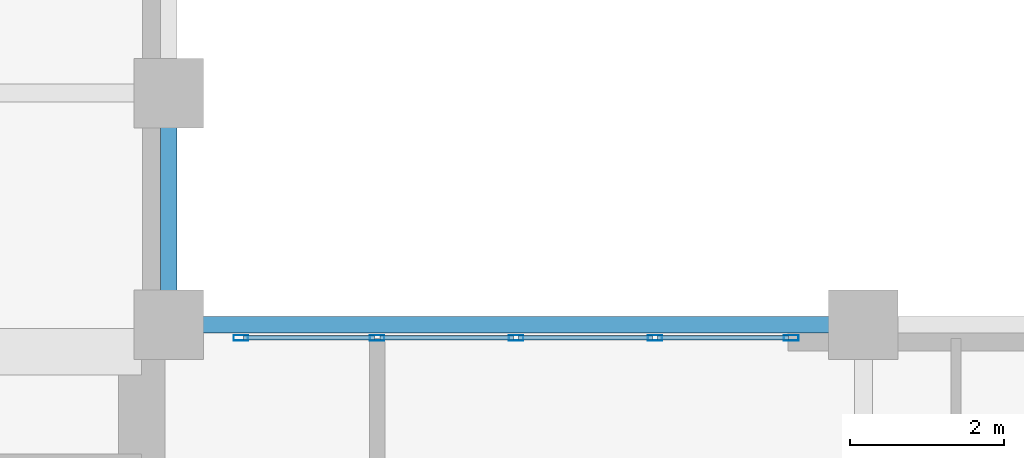
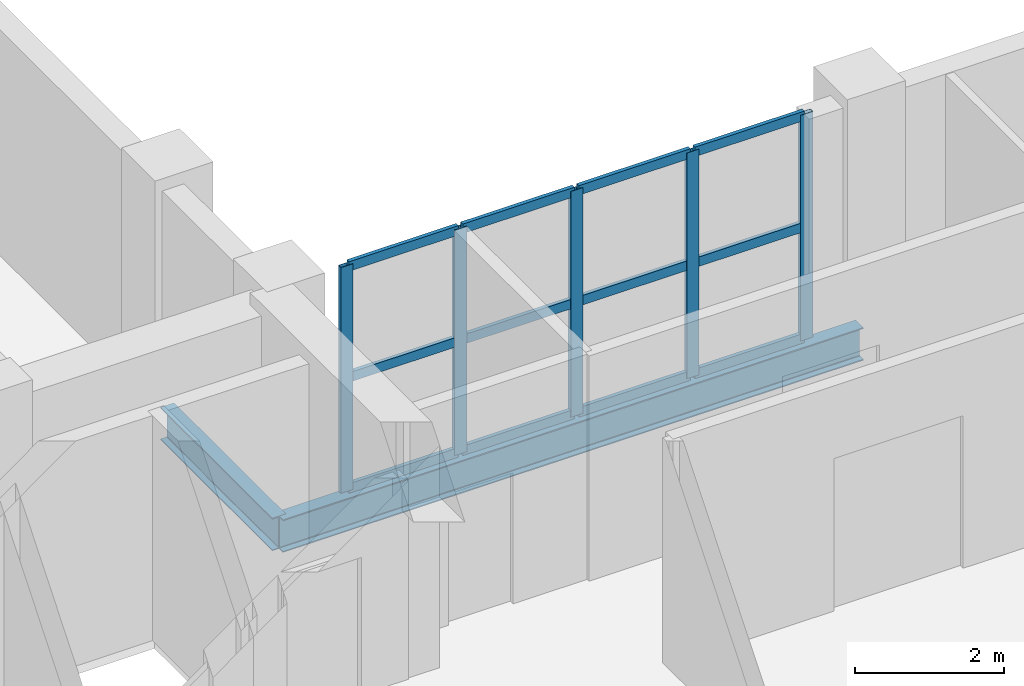
# One storey, part 2 of 7: 17 members, 2 beams, 1 element without a shape of its own.
"""IFC4 building model written with IfcOpenShell, lengths in metres."""

import ifcopenshell
import ifcopenshell.guid

model = None  # the IFC model being written
_history = None  # IfcOwnerHistory: only IFC2X3 demands one
_inside = {}  # id of a spatial element -> (the spatial element, [elements in it])
_under = {}  # id of a project, library or spatial element -> (it, [spatial elements below it])
_declared = {}  # id of a project -> (the project, [libraries it declares])
_typed = {}  # id of a type object -> (the type object, [elements of that type])
_made_of = {}  # id of a material, layer set ... -> (it, [elements and type objects made of it])


def new_model(schema):
    """Start an empty IFC model of exactly this schema.

    Asked for "IFC4X3", IfcOpenShell would pick the latest addendum, in which some entities
    have other attributes; the version numbers below select the first issue.
    IFC2X3 requires an IfcOwnerHistory on every rooted entity: one is made here for all.
    """
    global model, _history
    if schema == "IFC4X3":
        model = ifcopenshell.file(schema_version=(4, 3, 0, 0))
    else:
        model = ifcopenshell.file(schema=schema)
    _inside.clear()
    _under.clear()
    _declared.clear()
    _typed.clear()
    _made_of.clear()
    _history = None
    if model.schema == "IFC2X3":
        org = make("IfcOrganization", Name="unknown")
        user = make(
            "IfcPersonAndOrganization",
            ThePerson=make("IfcPerson", FamilyName="unknown"),
            TheOrganization=org,
        )
        app = make(
            "IfcApplication",
            ApplicationDeveloper=org,
            Version="unknown",
            ApplicationFullName="unknown",
            ApplicationIdentifier="unknown",
        )
        _history = make(
            "IfcOwnerHistory",
            OwningUser=user,
            OwningApplication=app,
            ChangeAction="ADDED",
            CreationDate=0,
        )
    return model


def make(cls, **values):
    """One entity of the class cls with the attributes given. An attribute that is None is left unset."""
    return model.create_entity(
        cls, **{name: value for name, value in values.items() if value is not None}
    )


def rooted(cls, **values):
    """An entity with a GlobalId (a new one), such as an element, a storey or a relation."""
    return make(cls, GlobalId=ifcopenshell.guid.new(), OwnerHistory=_history, **values)


def si_unit(unit_type, name, prefix=None):
    """IfcSIUnit, for example si_unit("LENGTHUNIT", "METRE", prefix="MILLI")."""
    return make("IfcSIUnit", UnitType=unit_type, Prefix=prefix, Name=name)


def assignment(units):
    """IfcUnitAssignment: the units of a project."""
    return None if units is None else make("IfcUnitAssignment", Units=units)


def point(xyz):
    """IfcCartesianPoint."""
    return None if xyz is None else make("IfcCartesianPoint", Coordinates=xyz)


def direction(xyz):
    """IfcDirection."""
    return None if xyz is None else make("IfcDirection", DirectionRatios=xyz)


def frame(location, z_axis=None, x_axis=None):
    """IfcAxis2Placement3D, a coordinate frame: its origin and axes. An axis left out is left unset."""
    return make(
        "IfcAxis2Placement3D",
        Location=point(location),
        Axis=direction(z_axis),
        RefDirection=direction(x_axis),
    )


def frame_2d(location, x_axis=None):
    """IfcAxis2Placement2D, a coordinate frame in the plane: its origin and x axis."""
    return make(
        "IfcAxis2Placement2D", Location=point(location), RefDirection=direction(x_axis)
    )


def origin():
    """The frame at (0, 0, 0) with its axes left unset."""
    return frame((0.0, 0.0, 0.0))


def origin_2d():
    """The frame at (0, 0) in the plane with its x axis left unset."""
    return frame_2d((0.0, 0.0))


def place(relative_to, where):
    """IfcLocalPlacement: puts the frame where relative to a parent placement (None: the world)."""
    return make(
        "IfcLocalPlacement", PlacementRelTo=relative_to, RelativePlacement=where
    )


def context(
    kind, dimensions, precision=None, world=None, true_north=None, identifier=None
):
    """IfcGeometricRepresentationContext, for example the 3D "Model" context."""
    return make(
        "IfcGeometricRepresentationContext",
        ContextIdentifier=identifier,
        ContextType=kind,
        CoordinateSpaceDimension=dimensions,
        Precision=precision,
        WorldCoordinateSystem=world,
        TrueNorth=true_north,
    )


def subcontext(parent, identifier, kind, view, scale=None):
    """IfcGeometricRepresentationSubContext, for example "Body" below "Model"."""
    return make(
        "IfcGeometricRepresentationSubContext",
        ContextIdentifier=identifier,
        ContextType=kind,
        ParentContext=parent,
        TargetScale=scale,
        TargetView=view,
    )


def project(units=None, contexts=None):
    """IfcProject with its units and contexts."""
    return rooted(
        "IfcProject",
        Name="project",
        RepresentationContexts=contexts,
        UnitsInContext=assignment(units),
    )


def spatial(cls, under=None, at=None, **own):
    """A site, building, storey or space (cls), placed at a placement, below another one or the project."""
    s = rooted(cls, ObjectPlacement=at, **own)
    if under is not None:
        _under.setdefault(under.id(), (under, []))[1].append(s)
    return s


def profile(cls, at=None, kind="AREA", **sizes):
    """A parametric profile (cls). Its sizes go by their IFC names, for example OverallWidth=200.0."""
    return make(cls, ProfileType=kind, Position=at, **sizes)


def hollow_rectangle(**sizes):
    """IfcRectangleHollowProfileDef."""
    return profile("IfcRectangleHollowProfileDef", **sizes)


def i_section(**sizes):
    """IfcIShapeProfileDef."""
    return profile("IfcIShapeProfileDef", **sizes)


def extrude(swept, where, along, depth):
    """IfcExtrudedAreaSolid: the profile swept, set in the frame where, extruded along a direction by depth."""
    return make(
        "IfcExtrudedAreaSolid",
        SweptArea=swept,
        Position=where,
        ExtrudedDirection=direction(along),
        Depth=depth,
    )


def shape(context_of_items, identifier, shape_type, items):
    """IfcShapeRepresentation: the items that make up one representation, for example the "Body"."""
    return make(
        "IfcShapeRepresentation",
        ContextOfItems=context_of_items,
        RepresentationIdentifier=identifier,
        RepresentationType=shape_type,
        Items=items,
    )


def material(Name=None, Category=None):
    """IfcMaterial."""
    return make("IfcMaterial", Name=Name, Category=Category)


def layer(
    of_material, thickness, ventilated=None, Name=None, Category=None, Priority=None
):
    """IfcMaterialLayer: one layer of a wall or slab, of a material (None: an air gap)."""
    return make(
        "IfcMaterialLayer",
        Material=of_material,
        LayerThickness=thickness,
        IsVentilated=ventilated,
        Name=Name,
        Category=Category,
        Priority=Priority,
    )


def layer_set(layers, Name=None):
    """IfcMaterialLayerSet."""
    return make("IfcMaterialLayerSet", MaterialLayers=layers, LayerSetName=Name)


def material_profile(
    of_material, cross_section, Name=None, Category=None, Priority=None
):
    """IfcMaterialProfile: a cross section and its material."""
    return make(
        "IfcMaterialProfile",
        Name=Name,
        Material=of_material,
        Profile=cross_section,
        Priority=Priority,
        Category=Category,
    )


def profile_set(profiles, Name=None, composite=None):
    """IfcMaterialProfileSet."""
    return make(
        "IfcMaterialProfileSet",
        Name=Name,
        MaterialProfiles=profiles,
        CompositeProfile=composite,
    )


def made_of(thing, what):
    """Note that an element or type object is made of a material, layer set ...; save() writes the relation."""
    if what is not None:
        _made_of.setdefault(what.id(), (what, []))[1].append(thing)
    return thing


def type_object(cls, material=None, **own):
    """A type object (cls), such as IfcWallType, which elements share."""
    return made_of(rooted(cls, **own), material)


def element(
    cls,
    number,
    at=None,
    inside=None,
    cuts=None,
    type_object=None,
    material=None,
    context=None,
    identifier="Body",
    shape_type=None,
    held_by="IfcProductDefinitionShape",
    body=None,
    shapes=None,
    **own,
):
    """One element of the class cls, such as IfcWall. Its Tag is "e" and its number.

    at: its placement. inside: the storey or other place that contains it. cuts: it is an
    opening in that element (IfcRelVoidsElement). A single representation is given by context,
    identifier, shape_type and body (its items); several are given by shapes. held_by: the class
    of the entity that holds the representations. save() writes the other relations.
    """
    e = rooted(cls, Tag="e%d" % number, ObjectPlacement=at, **own)
    if body is not None:
        shapes = [shape(context, identifier, shape_type, body)]
    if shapes is not None:
        e.Representation = make(held_by, Representations=shapes)
    if inside is not None:
        _inside.setdefault(inside.id(), (inside, []))[1].append(e)
    if cuts is not None:
        rooted(
            "IfcRelVoidsElement", RelatingBuildingElement=cuts, RelatedOpeningElement=e
        )
    if type_object is not None:
        _typed.setdefault(type_object.id(), (type_object, []))[1].append(e)
    return made_of(e, material)


def aggregate(whole, parts):
    """IfcRelAggregates: a whole, such as a stair, and the parts it consists of."""
    return rooted("IfcRelAggregates", RelatingObject=whole, RelatedObjects=parts)


def save(model, path):
    """Write the relations noted so far, then the file.

    IfcRelAggregates (storeys below a building ...), IfcRelContainedInSpatialStructure (elements
    in a storey), IfcRelDefinesByType, IfcRelAssociatesMaterial and IfcRelDeclares: one each for
    every whole, place, type object, material and project.
    """
    for whole, parts in _under.values():
        aggregate(whole, parts)
    for where, things in _inside.values():
        rooted(
            "IfcRelContainedInSpatialStructure",
            RelatedElements=things,
            RelatingStructure=where,
        )
    for kind, things in _typed.values():
        rooted("IfcRelDefinesByType", RelatedObjects=things, RelatingType=kind)
    for what, things in _made_of.values():
        rooted("IfcRelAssociatesMaterial", RelatedObjects=things, RelatingMaterial=what)
    for by, libraries in _declared.values():
        rooted("IfcRelDeclares", RelatingContext=by, RelatedDefinitions=libraries)
    model.write(path)


model = new_model("IFC4")

# Units and contexts
model_context = context("Model", 3, precision=1e-05, world=origin(), true_north=direction((0.0, 1.0)))
body_context = subcontext(model_context, "Body", "Model", "MODEL_VIEW")
ifc_project = project(units=[si_unit("LENGTHUNIT", "METRE"), si_unit("AREAUNIT", "SQUARE_METRE"), si_unit("VOLUMEUNIT", "CUBIC_METRE"), si_unit("PLANEANGLEUNIT", "RADIAN"), si_unit("MASSUNIT", "GRAM", prefix="KILO")], contexts=[model_context])

# Site, building, storey
site_placement = place(None, origin())
site = spatial("IfcSite", under=ifc_project, at=site_placement, CompositionType="ELEMENT")
building_placement = place(site_placement, origin())
building = spatial("IfcBuilding", under=site, at=building_placement, Name="Mawjdan Bourse Tower", CompositionType="ELEMENT")
storey_placement = place(building_placement, frame((0.0, 0.0, 203.39990234375)))
storey = spatial("IfcBuildingStorey", under=building, at=storey_placement, Name="L49", CompositionType="ELEMENT", Elevation=203.39990234375)

# Curtain wall, members
ifc_material_1 = material(Name="Thermally Broken Aluminium and Solar Glass", Category="aluminium")
ifc_layer = layer(ifc_material_1, 0.219970703125)
ifc_layer_set = layer_set([ifc_layer], Name="Thermally Broken Aluminium and Solar Glass")
curtain_wall_type = type_object("IfcCurtainWallType", Name="CW-ATR", PredefinedType="USERDEFINED", material=ifc_layer_set)
curtain_wall_placement = place(storey_placement, origin())
curtain_wall = element("IfcCurtainWall", 1, at=curtain_wall_placement, inside=storey, type_object=curtain_wall_type, Name="L49 Northeast Atrium Court Curtain Wall", ObjectType="ATRIUM GLAZED CURTAIN WALL", PredefinedType="USERDEFINED")
ifc_material_2 = material(Name="Thermally Broken Anodised Aluminium", Category="aluminium")
ifc_material_profile_1 = material_profile(ifc_material_2, hollow_rectangle(XDim=0.070068359375, YDim=0.18994140625, WallThickness=0.00439453125, at=origin_2d()), Name="ALU-MUL-190X70")
ifc_profile_set_1 = profile_set([ifc_material_profile_1], Name="Thermally Broken Anodised Aluminium")
member_type_1 = type_object("IfcMemberType", Name="MUL-ALU-MUL-190X70", PredefinedType="MULLION", material=ifc_profile_set_1)
member_1_placement = place(storey_placement, frame((32.06494140625, 20.830078125, 0.0), z_axis=(0.0, 0.0, 1.0), x_axis=(0.0, -1.0, 0.0)))
member_1 = element("IfcMember", 2, at=member_1_placement, type_object=member_type_1, Name="CW-ATR-L49-ATR-NE mullion 1", PredefinedType="MULLION", context=body_context, shape_type="SweptSolid", body=[
    extrude(hollow_rectangle(XDim=0.070068359375, YDim=0.18994140625, WallThickness=0.00439453125, at=origin_2d()), origin(), (0.0, 0.0, 1.0), 3.7001953125),
])
member_2_placement = place(storey_placement, frame((30.300048828125, 20.830078125, 0.0), z_axis=(0.0, 0.0, 1.0), x_axis=(0.0, -1.0, 0.0)))
member_2 = element("IfcMember", 3, at=member_2_placement, type_object=member_type_1, Name="CW-ATR-L49-ATR-NE mullion 2", PredefinedType="MULLION", context=body_context, shape_type="SweptSolid", body=[
    extrude(hollow_rectangle(XDim=0.070068359375, YDim=0.18994140625, WallThickness=0.00439453125, at=origin_2d()), origin(), (0.0, 0.0, 1.0), 3.7001953125),
])
member_3_placement = place(storey_placement, frame((28.5, 20.830078125, 0.0), z_axis=(0.0, 0.0, 1.0), x_axis=(0.0, -1.0, 0.0)))
member_3 = element("IfcMember", 4, at=member_3_placement, type_object=member_type_1, Name="CW-ATR-L49-ATR-NE mullion 3", PredefinedType="MULLION", context=body_context, shape_type="SweptSolid", body=[
    extrude(hollow_rectangle(XDim=0.070068359375, YDim=0.18994140625, WallThickness=0.00439453125, at=origin_2d()), origin(), (0.0, 0.0, 1.0), 3.7001953125),
])
member_4_placement = place(storey_placement, frame((26.699951171875, 20.830078125, 0.0), z_axis=(0.0, 0.0, 1.0), x_axis=(0.0, -1.0, 0.0)))
member_4 = element("IfcMember", 5, at=member_4_placement, type_object=member_type_1, Name="CW-ATR-L49-ATR-NE mullion 4", PredefinedType="MULLION", context=body_context, shape_type="SweptSolid", body=[
    extrude(hollow_rectangle(XDim=0.070068359375, YDim=0.18994140625, WallThickness=0.00439453125, at=origin_2d()), origin(), (0.0, 0.0, 1.0), 3.7001953125),
])
member_5_placement = place(storey_placement, frame((24.93505859375, 20.830078125, 0.0), z_axis=(0.0, 0.0, 1.0), x_axis=(0.0, -1.0, 0.0)))
member_5 = element("IfcMember", 6, at=member_5_placement, type_object=member_type_1, Name="CW-ATR-L49-ATR-NE mullion 5", PredefinedType="MULLION", context=body_context, shape_type="SweptSolid", body=[
    extrude(hollow_rectangle(XDim=0.070068359375, YDim=0.18994140625, WallThickness=0.00439453125, at=origin_2d()), origin(), (0.0, 0.0, 1.0), 3.7001953125),
])

# Beams
ifc_material_3 = material(Name="Structural Steel S355", Category="steel")
ifc_material_profile_2 = material_profile(ifc_material_3, i_section(OverallWidth=0.2099609375, OverallDepth=0.537109375, WebThickness=0.010986328125, FlangeThickness=0.017333984375, FilletRadius=0.013916015625, at=origin_2d()), Name="W21X68")
ifc_profile_set_2 = profile_set([ifc_material_profile_2], Name="Structural Steel S355")
beam_type = type_object("IfcBeamType", Name="SPN-W21X68", PredefinedType="SPANDREL", material=ifc_profile_set_2)
beam_1_placement = place(storey_placement, frame((24.0, 21.0, -0.468505859375), z_axis=(1.0, 0.0, 0.0), x_axis=(0.0, 1.0, 0.0)))
element("IfcBeam", 7, at=beam_1_placement, inside=storey, type_object=beam_type, Name="L49 Perimeter Masonry-Shelf Spandrel 012", PredefinedType="SPANDREL", context=body_context, shape_type="SweptSolid", body=[
    extrude(i_section(OverallWidth=0.2099609375, OverallDepth=0.537109375, WebThickness=0.010986328125, FlangeThickness=0.017333984375, FilletRadius=0.013916015625, at=origin_2d()), origin(), (0.0, 0.0, 1.0), 9.0),
])
beam_2_placement = place(storey_placement, frame((24.0, 21.0, -0.468505859375), z_axis=(0.0, 1.0, 0.0), x_axis=(-1.0, 0.0, 0.0)))
element("IfcBeam", 8, at=beam_2_placement, inside=storey, type_object=beam_type, Name="L49 North Wing Spandrel 055", PredefinedType="SPANDREL", context=body_context, shape_type="SweptSolid", body=[
    extrude(i_section(OverallWidth=0.2099609375, OverallDepth=0.537109375, WebThickness=0.010986328125, FlangeThickness=0.017333984375, FilletRadius=0.013916015625, at=origin_2d()), origin(), (0.0, 0.0, 1.0), 3.0),
])

# Member
ifc_material_profile_3 = material_profile(ifc_material_2, hollow_rectangle(XDim=0.06005859375, YDim=0.155029296875, WallThickness=0.00390625, at=origin_2d()), Name="ALU-TRN-155X60")
ifc_profile_set_3 = profile_set([ifc_material_profile_3], Name="Thermally Broken Anodised Aluminium")
member_type_2 = type_object("IfcMemberType", Name="TRN-ALU-TRN-155X60", PredefinedType="USERDEFINED", material=ifc_profile_set_3)
member_6_placement = place(storey_placement, frame((32.030029296875, 20.830078125, 0.030029296875), z_axis=(-1.0, 0.0, 0.0), x_axis=(0.0, -1.0, 0.0)))
member_6 = element("IfcMember", 9, at=member_6_placement, type_object=member_type_2, Name="CW-ATR-L49-ATR-NE transom 1.1", ObjectType="TRANSOM", PredefinedType="USERDEFINED", context=body_context, shape_type="SweptSolid", body=[
    extrude(hollow_rectangle(XDim=0.06005859375, YDim=0.155029296875, WallThickness=0.00390625, at=origin_2d()), origin(), (0.0, 0.0, 1.0), 1.695068359375),
])

member_7_placement = place(storey_placement, frame((32.030029296875, 20.830078125, 1.85009765625), z_axis=(-1.0, 0.0, 0.0), x_axis=(0.0, -1.0, 0.0)))
member_7 = element("IfcMember", 10, at=member_7_placement, type_object=member_type_2, Name="CW-ATR-L49-ATR-NE transom 1.2", ObjectType="TRANSOM", PredefinedType="USERDEFINED", context=body_context, shape_type="SweptSolid", body=[
    extrude(hollow_rectangle(XDim=0.06005859375, YDim=0.155029296875, WallThickness=0.00390625, at=origin_2d()), origin(), (0.0, 0.0, 1.0), 1.695068359375),
])

member_8_placement = place(storey_placement, frame((32.030029296875, 20.830078125, 3.670166015625), z_axis=(-1.0, 0.0, 0.0), x_axis=(0.0, -1.0, 0.0)))
member_8 = element("IfcMember", 11, at=member_8_placement, type_object=member_type_2, Name="CW-ATR-L49-ATR-NE transom 1.3", ObjectType="TRANSOM", PredefinedType="USERDEFINED", context=body_context, shape_type="SweptSolid", body=[
    extrude(hollow_rectangle(XDim=0.06005859375, YDim=0.155029296875, WallThickness=0.00390625, at=origin_2d()), origin(), (0.0, 0.0, 1.0), 1.695068359375),
])

member_9_placement = place(storey_placement, frame((30.264892578125, 20.830078125, 0.030029296875), z_axis=(-1.0, 0.0, 0.0), x_axis=(0.0, -1.0, 0.0)))
member_9 = element("IfcMember", 12, at=member_9_placement, type_object=member_type_2, Name="CW-ATR-L49-ATR-NE transom 2.1", ObjectType="TRANSOM", PredefinedType="USERDEFINED", context=body_context, shape_type="SweptSolid", body=[
    extrude(hollow_rectangle(XDim=0.06005859375, YDim=0.155029296875, WallThickness=0.00390625, at=origin_2d()), origin(), (0.0, 0.0, 1.0), 1.72998046875),
])

member_10_placement = place(storey_placement, frame((30.264892578125, 20.830078125, 1.85009765625), z_axis=(-1.0, 0.0, 0.0), x_axis=(0.0, -1.0, 0.0)))
member_10 = element("IfcMember", 13, at=member_10_placement, type_object=member_type_2, Name="CW-ATR-L49-ATR-NE transom 2.2", ObjectType="TRANSOM", PredefinedType="USERDEFINED", context=body_context, shape_type="SweptSolid", body=[
    extrude(hollow_rectangle(XDim=0.06005859375, YDim=0.155029296875, WallThickness=0.00390625, at=origin_2d()), origin(), (0.0, 0.0, 1.0), 1.72998046875),
])

member_11_placement = place(storey_placement, frame((30.264892578125, 20.830078125, 3.670166015625), z_axis=(-1.0, 0.0, 0.0), x_axis=(0.0, -1.0, 0.0)))
member_11 = element("IfcMember", 14, at=member_11_placement, type_object=member_type_2, Name="CW-ATR-L49-ATR-NE transom 2.3", ObjectType="TRANSOM", PredefinedType="USERDEFINED", context=body_context, shape_type="SweptSolid", body=[
    extrude(hollow_rectangle(XDim=0.06005859375, YDim=0.155029296875, WallThickness=0.00390625, at=origin_2d()), origin(), (0.0, 0.0, 1.0), 1.72998046875),
])

member_12_placement = place(storey_placement, frame((28.465087890625, 20.830078125, 0.030029296875), z_axis=(-1.0, 0.0, 0.0), x_axis=(0.0, -1.0, 0.0)))
member_12 = element("IfcMember", 15, at=member_12_placement, type_object=member_type_2, Name="CW-ATR-L49-ATR-NE transom 3.1", ObjectType="TRANSOM", PredefinedType="USERDEFINED", context=body_context, shape_type="SweptSolid", body=[
    extrude(hollow_rectangle(XDim=0.06005859375, YDim=0.155029296875, WallThickness=0.00390625, at=origin_2d()), origin(), (0.0, 0.0, 1.0), 1.72998046875),
])

member_13_placement = place(storey_placement, frame((28.465087890625, 20.830078125, 1.85009765625), z_axis=(-1.0, 0.0, 0.0), x_axis=(0.0, -1.0, 0.0)))
member_13 = element("IfcMember", 16, at=member_13_placement, type_object=member_type_2, Name="CW-ATR-L49-ATR-NE transom 3.2", ObjectType="TRANSOM", PredefinedType="USERDEFINED", context=body_context, shape_type="SweptSolid", body=[
    extrude(hollow_rectangle(XDim=0.06005859375, YDim=0.155029296875, WallThickness=0.00390625, at=origin_2d()), origin(), (0.0, 0.0, 1.0), 1.72998046875),
])

member_14_placement = place(storey_placement, frame((28.465087890625, 20.830078125, 3.670166015625), z_axis=(-1.0, 0.0, 0.0), x_axis=(0.0, -1.0, 0.0)))
member_14 = element("IfcMember", 17, at=member_14_placement, type_object=member_type_2, Name="CW-ATR-L49-ATR-NE transom 3.3", ObjectType="TRANSOM", PredefinedType="USERDEFINED", context=body_context, shape_type="SweptSolid", body=[
    extrude(hollow_rectangle(XDim=0.06005859375, YDim=0.155029296875, WallThickness=0.00390625, at=origin_2d()), origin(), (0.0, 0.0, 1.0), 1.72998046875),
])

member_15_placement = place(storey_placement, frame((26.6650390625, 20.830078125, 0.030029296875), z_axis=(-1.0, 0.0, 0.0), x_axis=(0.0, -1.0, 0.0)))
member_15 = element("IfcMember", 18, at=member_15_placement, type_object=member_type_2, Name="CW-ATR-L49-ATR-NE transom 4.1", ObjectType="TRANSOM", PredefinedType="USERDEFINED", context=body_context, shape_type="SweptSolid", body=[
    extrude(hollow_rectangle(XDim=0.06005859375, YDim=0.155029296875, WallThickness=0.00390625, at=origin_2d()), origin(), (0.0, 0.0, 1.0), 1.695068359375),
])

member_16_placement = place(storey_placement, frame((26.6650390625, 20.830078125, 1.85009765625), z_axis=(-1.0, 0.0, 0.0), x_axis=(0.0, -1.0, 0.0)))
member_16 = element("IfcMember", 19, at=member_16_placement, type_object=member_type_2, Name="CW-ATR-L49-ATR-NE transom 4.2", ObjectType="TRANSOM", PredefinedType="USERDEFINED", context=body_context, shape_type="SweptSolid", body=[
    extrude(hollow_rectangle(XDim=0.06005859375, YDim=0.155029296875, WallThickness=0.00390625, at=origin_2d()), origin(), (0.0, 0.0, 1.0), 1.695068359375),
])

member_17_placement = place(storey_placement, frame((26.6650390625, 20.830078125, 3.670166015625), z_axis=(-1.0, 0.0, 0.0), x_axis=(0.0, -1.0, 0.0)))
member_17 = element("IfcMember", 20, at=member_17_placement, type_object=member_type_2, Name="CW-ATR-L49-ATR-NE transom 4.3", ObjectType="TRANSOM", PredefinedType="USERDEFINED", context=body_context, shape_type="SweptSolid", body=[
    extrude(hollow_rectangle(XDim=0.06005859375, YDim=0.155029296875, WallThickness=0.00390625, at=origin_2d()), origin(), (0.0, 0.0, 1.0), 1.695068359375),
])

aggregate(curtain_wall, [member_1, member_2, member_3, member_4, member_5, member_6, member_7, member_8, member_9, member_10, member_11, member_12, member_13, member_14, member_15, member_16, member_17])

save(model, "model.ifc")
